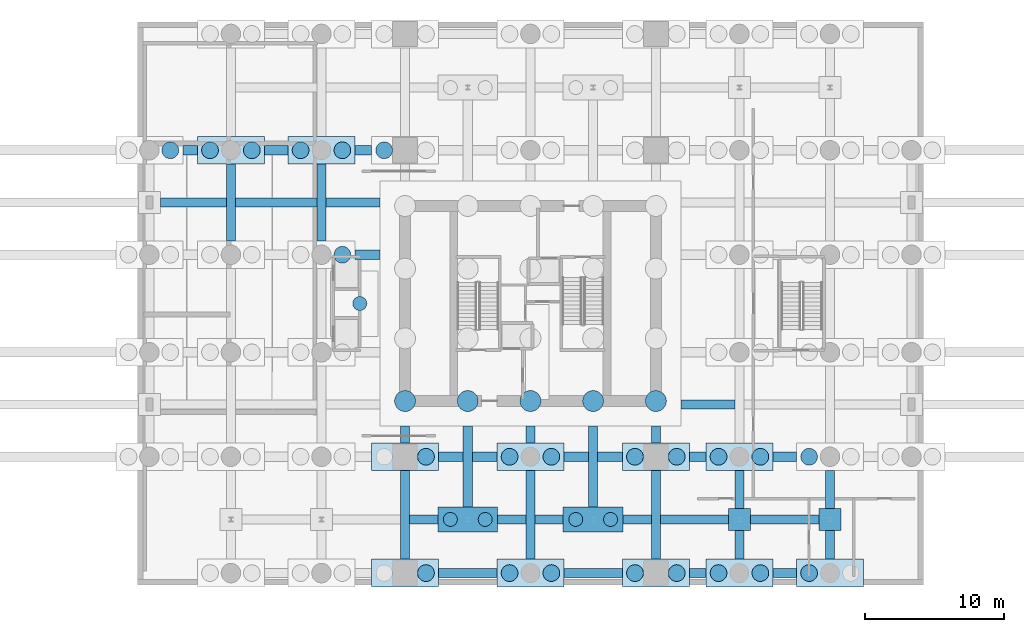
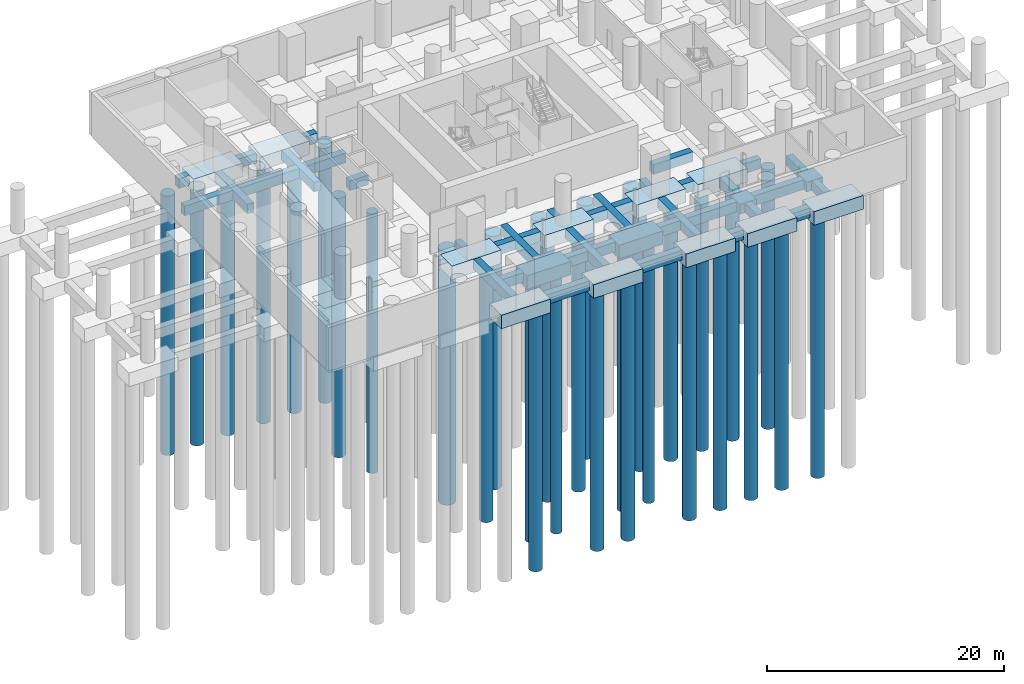
# One storey, part 2 of 12: 53 footings, 33 piles.
"""IFC4 building model written with IfcOpenShell, lengths in metres."""

from ifc_helpers import new_model, si_unit, direction, frame, origin, origin_2d, place, context, subcontext, project, spatial, polyline, circle, outline, extrude, material, layer, layer_set, material_profile, profile_set, type_object, element, save


model = new_model("IFC4")

# Units and contexts
model_context = context("Model", 3, precision=1e-05, world=origin(), true_north=direction((0.0, 1.0)))
body_context = subcontext(model_context, "Body", "Model", "MODEL_VIEW")
ifc_project = project(units=[si_unit("LENGTHUNIT", "METRE"), si_unit("AREAUNIT", "SQUARE_METRE"), si_unit("VOLUMEUNIT", "CUBIC_METRE"), si_unit("PLANEANGLEUNIT", "RADIAN"), si_unit("MASSUNIT", "GRAM", prefix="KILO")], contexts=[model_context])

# Site, building, storey
site_placement = place(None, origin())
site = spatial("IfcSite", under=ifc_project, at=site_placement, CompositionType="ELEMENT")
building_placement = place(site_placement, origin())
building = spatial("IfcBuilding", under=site, at=building_placement, Name="Veldorim Arch Residences", CompositionType="ELEMENT")
storey_placement = place(building_placement, frame((0.0, 0.0, -9.0)))
storey = spatial("IfcBuildingStorey", under=building, at=storey_placement, Name="B2", CompositionType="ELEMENT", Elevation=-9.0)

# Piles
ifc_material_1 = material(Name="Concrete C50/60", Category="concrete")
ifc_material_profile_1 = material_profile(ifc_material_1, circle(Radius=0.5, at=origin_2d()), Name="PILE_1000")
ifc_profile_set_1 = profile_set([ifc_material_profile_1], Name="Concrete C50/60")
pile_type_1 = type_object("IfcPileType", Name="Bored Rock-Socketed Pile 1000", PredefinedType="BORED", material=ifc_profile_set_1)
for number, where, z_axis, x_axis, name in (
    (1, (19.75, 24.0, -1.25), (0.0, 0.0, -1.0), (1.0, 0.0, 0.0), "Clinic lift core bored pile 01"),
    (2, (26.25, 8.5, -1.25), (0.0, 0.0, -1.0), (1.0, 0.0, 0.0), "Infill cap 01 bored pile W"),
    (3, (28.75, 8.5, -1.25), (0.0, 0.0, -1.0), (1.0, 0.0, 0.0), "Infill cap 01 bored pile E"),
    (4, (35.25, 8.5, -1.25), (0.0, 0.0, -1.0), (1.0, 0.0, 0.0), "Infill cap 02 bored pile W"),
    (5, (37.75, 8.5, -1.25), (0.0, 0.0, -1.0), (1.0, 0.0, 0.0), "Infill cap 02 bored pile E"),
):
    element("IfcPile", number, at=place(storey_placement, frame(where, z_axis=z_axis, x_axis=x_axis)), inside=storey, type_object=pile_type_1, Name=name, PredefinedType="BORED", context=body_context, shape_type="SweptSolid", body=[
        extrude(circle(Radius=0.5, at=origin_2d()), origin(), (0.0, 0.0, 1.0), 26.75),
    ])
ifc_material_2 = material(Name="Concrete C50/60", Category="concrete")
ifc_material_profile_2 = material_profile(ifc_material_2, circle(Radius=0.60009765625, at=origin_2d()), Name="PILE_1200")
ifc_profile_set_2 = profile_set([ifc_material_profile_2], Name="Concrete C50/60")
pile_type_2 = type_object("IfcPileType", Name="Bored Rock-Socketed Pile 1200", PredefinedType="BORED", material=ifc_profile_set_2)
for number, where, z_axis, x_axis, name in (
    (6, (6.14990234375, 35.0, -1.25), (0.0, 0.0, -1.0), (1.0, 0.0, 0.0), "Cap 04 bored pile E"),
    (7, (9.0, 35.0, -1.25), (0.0, 0.0, -1.0), (1.0, 0.0, 0.0), "Cap 09 bored pile W"),
    (8, (12.0, 35.0, -1.25), (0.0, 0.0, -1.0), (1.0, 0.0, 0.0), "Cap 09 bored pile E"),
    (9, (18.5, 27.5, -1.25), (0.0, 0.0, -1.0), (1.0, 0.0, 0.0), "Cap 14 bored pile E"),
    (10, (15.5, 35.0, -1.25), (0.0, 0.0, -1.0), (1.0, 0.0, 0.0), "Cap 15 bored pile W"),
    (11, (18.5, 35.0, -1.25), (0.0, 0.0, -1.0), (1.0, 0.0, 0.0), "Cap 15 bored pile E"),
    (12, (45.5, 4.64990234375, -1.25), (0.0, 0.0, -1.0), (1.0, 0.0, 0.0), "Cap 17 bored pile W"),
    (13, (48.5, 4.64990234375, -1.25), (0.0, 0.0, -1.0), (1.0, 0.0, 0.0), "Cap 17 bored pile E"),
    (14, (45.5, 13.0, -1.25), (0.0, 0.0, -1.0), (1.0, 0.0, 0.0), "Cap 18 bored pile W"),
    (15, (48.5, 13.0, -1.25), (0.0, 0.0, -1.0), (1.0, 0.0, 0.0), "Cap 18 bored pile E"),
    (16, (52.0, 4.64990234375, -1.25), (0.0, 0.0, -1.0), (1.0, 0.0, 0.0), "Cap 23 bored pile W"),
    (17, (52.0, 13.0, -1.25), (0.0, 0.0, -1.0), (1.0, 0.0, 0.0), "Cap 24 bored pile W"),
    (18, (24.5, 4.64990234375, -1.25), (0.0, 0.0, -1.0), (1.0, 0.0, 0.0), "Cap 33 bored pile E"),
    (19, (24.5, 13.0, -1.25), (0.0, 0.0, -1.0), (1.0, 0.0, 0.0), "Cap 34 bored pile E"),
    (20, (21.5, 35.0, -1.25), (0.0, 0.0, -1.0), (1.0, 0.0, 0.0), "Cap 35 bored pile W"),
    (21, (30.5, 4.64990234375, -1.25), (0.0, 0.0, -1.0), (1.0, 0.0, 0.0), "Cap 37 bored pile W"),
    (22, (33.5, 4.64990234375, -1.25), (0.0, 0.0, -1.0), (1.0, 0.0, 0.0), "Cap 37 bored pile E"),
    (23, (30.5, 13.0, -1.25), (0.0, 0.0, -1.0), (1.0, 0.0, 0.0), "Cap 38 bored pile W"),
    (24, (33.5, 13.0, -1.25), (0.0, 0.0, -1.0), (1.0, 0.0, 0.0), "Cap 38 bored pile E"),
    (25, (39.5, 4.64990234375, -1.25), (0.0, 0.0, -1.0), (1.0, 0.0, 0.0), "Cap 41 bored pile W"),
    (26, (42.5, 4.64990234375, -1.25), (0.0, 0.0, -1.0), (1.0, 0.0, 0.0), "Cap 41 bored pile E"),
    (27, (39.5, 13.0, -1.25), (0.0, 0.0, -1.0), (1.0, 0.0, 0.0), "Cap 42 bored pile W"),
    (28, (42.5, 13.0, -1.25), (0.0, 0.0, -1.0), (1.0, 0.0, 0.0), "Cap 42 bored pile E"),
):
    element("IfcPile", number, at=place(storey_placement, frame(where, z_axis=z_axis, x_axis=x_axis)), inside=storey, type_object=pile_type_2, Name=name, PredefinedType="BORED", context=body_context, shape_type="SweptSolid", body=[
        extrude(circle(Radius=0.60009765625, at=origin_2d()), origin(), (0.0, 0.0, 1.0), 26.75),
    ])
ifc_material_3 = material(Name="Concrete C50/60", Category="concrete")
ifc_material_profile_3 = material_profile(ifc_material_3, circle(Radius=0.75, at=origin_2d()), Name="PILE_1500")
ifc_profile_set_3 = profile_set([ifc_material_profile_3], Name="Concrete C50/60")
pile_type_3 = type_object("IfcPileType", Name="Bored Rock-Socketed Pile 1500", PredefinedType="BORED", material=ifc_profile_set_3)
for number, where, z_axis, x_axis, name in (
    (29, (23.0, 17.0, -1.85009765625), (0.0, 0.0, -1.0), (1.0, 0.0, 0.0), "Core raft bored pile 01"),
    (30, (27.5, 17.0, -1.85009765625), (0.0, 0.0, -1.0), (1.0, 0.0, 0.0), "Core raft bored pile 05"),
    (31, (32.0, 17.0, -1.85009765625), (0.0, 0.0, -1.0), (1.0, 0.0, 0.0), "Core raft bored pile 09"),
    (32, (36.5, 17.0, -1.85009765625), (0.0, 0.0, -1.0), (1.0, 0.0, 0.0), "Core raft bored pile 13"),
    (33, (41.0, 17.0, -1.85009765625), (0.0, 0.0, -1.0), (1.0, 0.0, 0.0), "Core raft bored pile 17"),
):
    element("IfcPile", number, at=place(storey_placement, frame(where, z_axis=z_axis, x_axis=x_axis)), inside=storey, type_object=pile_type_3, Name=name, PredefinedType="BORED", context=body_context, shape_type="SweptSolid", body=[
        extrude(circle(Radius=0.75, at=origin_2d()), origin(), (0.0, 0.0, 1.0), 26.14990234375),
    ])

# Footings
ifc_material_4 = material(Name="Concrete C50/60", Category="concrete")
ifc_layer_1 = layer(ifc_material_4, 1.0, Name="Continuous Ground Tie Beam 650x1000")
ifc_layer_set_1 = layer_set([ifc_layer_1], Name="Concrete C50/60")
footing_type_1 = type_object("IfcFootingType", Name="Continuous Ground Tie Beam 650x1000", PredefinedType="FOOTING_BEAM", material=ifc_layer_set_1)
footing_1_placement = place(storey_placement, frame((0.0, 0.0, -1.0)))
element("IfcFooting", 34, at=footing_1_placement, inside=storey, type_object=footing_type_1, Name="North-south ground tie beam 013", PredefinedType="FOOTING_BEAM", context=body_context, shape_type="SweptSolid", body=[
    extrude(outline(polyline([(10.175048828125, 28.5), (10.824951171875, 28.5), (10.824951171875, 34.0), (10.175048828125, 34.0), (10.175048828125, 28.5)])), origin(), (0.0, 0.0, 1.0), 1.0),
])
footing_2_placement = place(storey_placement, frame((0.0, 0.0, -1.0)))
element("IfcFooting", 35, at=footing_2_placement, inside=storey, type_object=footing_type_1, Name="North-south ground tie beam 019", PredefinedType="FOOTING_BEAM", context=body_context, shape_type="SweptSolid", body=[
    extrude(outline(polyline([(16.675048828125, 28.5), (17.324951171875, 28.5), (17.324951171875, 34.0), (16.675048828125, 34.0), (16.675048828125, 28.5)])), origin(), (0.0, 0.0, 1.0), 1.0),
])
footing_3_placement = place(storey_placement, frame((0.0, 0.0, -1.0)))
element("IfcFooting", 36, at=footing_3_placement, inside=storey, type_object=footing_type_1, Name="North-south ground tie beam 021", PredefinedType="FOOTING_BEAM", context=body_context, shape_type="SweptSolid", body=[
    extrude(outline(polyline([(22.675048828125, 5.64990234375), (23.324951171875, 5.64990234375), (23.324951171875, 12.0), (22.675048828125, 12.0), (22.675048828125, 5.64990234375)])), origin(), (0.0, 0.0, 1.0), 1.0),
])
footing_4_placement = place(storey_placement, frame((0.0, 0.0, -1.0)))
element("IfcFooting", 37, at=footing_4_placement, inside=storey, type_object=footing_type_1, Name="North-south ground tie beam 022", PredefinedType="FOOTING_BEAM", context=body_context, shape_type="SweptSolid", body=[
    extrude(outline(polyline([(22.675048828125, 14.0), (23.324951171875, 14.0), (23.324951171875, 15.199951171875), (22.675048828125, 15.199951171875), (22.675048828125, 14.0)])), origin(), (0.0, 0.0, 1.0), 1.0),
])
footing_5_placement = place(storey_placement, frame((0.0, 0.0, -1.0)))
element("IfcFooting", 38, at=footing_5_placement, inside=storey, type_object=footing_type_1, Name="North-south ground tie beam 025", PredefinedType="FOOTING_BEAM", context=body_context, shape_type="SweptSolid", body=[
    extrude(outline(polyline([(27.175048828125, 9.39990234375), (27.824951171875, 9.39990234375), (27.824951171875, 15.199951171875), (27.175048828125, 15.199951171875), (27.175048828125, 9.39990234375)])), origin(), (0.0, 0.0, 1.0), 1.0),
])
footing_6_placement = place(storey_placement, frame((0.0, 0.0, -1.0)))
element("IfcFooting", 39, at=footing_6_placement, inside=storey, type_object=footing_type_1, Name="North-south ground tie beam 027", PredefinedType="FOOTING_BEAM", context=body_context, shape_type="SweptSolid", body=[
    extrude(outline(polyline([(31.675048828125, 5.64990234375), (32.324951171875, 5.64990234375), (32.324951171875, 12.0), (31.675048828125, 12.0), (31.675048828125, 5.64990234375)])), origin(), (0.0, 0.0, 1.0), 1.0),
])
footing_7_placement = place(storey_placement, frame((0.0, 0.0, -1.0)))
element("IfcFooting", 40, at=footing_7_placement, inside=storey, type_object=footing_type_1, Name="North-south ground tie beam 028", PredefinedType="FOOTING_BEAM", context=body_context, shape_type="SweptSolid", body=[
    extrude(outline(polyline([(31.675048828125, 14.0), (32.324951171875, 14.0), (32.324951171875, 15.199951171875), (31.675048828125, 15.199951171875), (31.675048828125, 14.0)])), origin(), (0.0, 0.0, 1.0), 1.0),
])
footing_8_placement = place(storey_placement, frame((0.0, 0.0, -1.0)))
element("IfcFooting", 41, at=footing_8_placement, inside=storey, type_object=footing_type_1, Name="North-south ground tie beam 031", PredefinedType="FOOTING_BEAM", context=body_context, shape_type="SweptSolid", body=[
    extrude(outline(polyline([(36.175048828125, 9.39990234375), (36.824951171875, 9.39990234375), (36.824951171875, 15.199951171875), (36.175048828125, 15.199951171875), (36.175048828125, 9.39990234375)])), origin(), (0.0, 0.0, 1.0), 1.0),
])
footing_9_placement = place(storey_placement, frame((0.0, 0.0, -1.0)))
element("IfcFooting", 42, at=footing_9_placement, inside=storey, type_object=footing_type_1, Name="North-south ground tie beam 033", PredefinedType="FOOTING_BEAM", context=body_context, shape_type="SweptSolid", body=[
    extrude(outline(polyline([(40.675048828125, 5.64990234375), (41.324951171875, 5.64990234375), (41.324951171875, 12.0), (40.675048828125, 12.0), (40.675048828125, 5.64990234375)])), origin(), (0.0, 0.0, 1.0), 1.0),
])
footing_10_placement = place(storey_placement, frame((0.0, 0.0, -1.0)))
element("IfcFooting", 43, at=footing_10_placement, inside=storey, type_object=footing_type_1, Name="North-south ground tie beam 034", PredefinedType="FOOTING_BEAM", context=body_context, shape_type="SweptSolid", body=[
    extrude(outline(polyline([(40.675048828125, 14.0), (41.324951171875, 14.0), (41.324951171875, 15.199951171875), (40.675048828125, 15.199951171875), (40.675048828125, 14.0)])), origin(), (0.0, 0.0, 1.0), 1.0),
])
footing_11_placement = place(storey_placement, frame((0.0, 0.0, -1.0)))
element("IfcFooting", 44, at=footing_11_placement, inside=storey, type_object=footing_type_1, Name="North-south ground tie beam 037", PredefinedType="FOOTING_BEAM", context=body_context, shape_type="SweptSolid", body=[
    extrude(outline(polyline([(46.675048828125, 5.64990234375), (47.324951171875, 5.64990234375), (47.324951171875, 7.699951171875), (46.675048828125, 7.699951171875), (46.675048828125, 5.64990234375)])), origin(), (0.0, 0.0, 1.0), 1.0),
])
footing_12_placement = place(storey_placement, frame((0.0, 0.0, -1.0)))
element("IfcFooting", 45, at=footing_12_placement, inside=storey, type_object=footing_type_1, Name="North-south ground tie beam 038", PredefinedType="FOOTING_BEAM", context=body_context, shape_type="SweptSolid", body=[
    extrude(outline(polyline([(46.675048828125, 9.300048828125), (47.324951171875, 9.300048828125), (47.324951171875, 12.0), (46.675048828125, 12.0), (46.675048828125, 9.300048828125)])), origin(), (0.0, 0.0, 1.0), 1.0),
])
footing_13_placement = place(storey_placement, frame((0.0, 0.0, -1.0)))
element("IfcFooting", 46, at=footing_13_placement, inside=storey, type_object=footing_type_1, Name="North-south ground tie beam 044", PredefinedType="FOOTING_BEAM", context=body_context, shape_type="SweptSolid", body=[
    extrude(outline(polyline([(53.175048828125, 5.64990234375), (53.824951171875, 5.64990234375), (53.824951171875, 7.699951171875), (53.175048828125, 7.699951171875), (53.175048828125, 5.64990234375)])), origin(), (0.0, 0.0, 1.0), 1.0),
])
footing_14_placement = place(storey_placement, frame((0.0, 0.0, -1.0)))
element("IfcFooting", 47, at=footing_14_placement, inside=storey, type_object=footing_type_1, Name="North-south ground tie beam 045", PredefinedType="FOOTING_BEAM", context=body_context, shape_type="SweptSolid", body=[
    extrude(outline(polyline([(53.175048828125, 9.300048828125), (53.824951171875, 9.300048828125), (53.824951171875, 12.0), (53.175048828125, 12.0), (53.175048828125, 9.300048828125)])), origin(), (0.0, 0.0, 1.0), 1.0),
])
footing_15_placement = place(storey_placement, frame((0.0, 0.0, -1.0)))
element("IfcFooting", 48, at=footing_15_placement, inside=storey, type_object=footing_type_1, Name="East-west ground tie beam 061", PredefinedType="FOOTING_BEAM", context=body_context, shape_type="SweptSolid", body=[
    extrude(outline(polyline([(25.39990234375, 4.324951171875), (29.60009765625, 4.324951171875), (29.60009765625, 4.97509765625), (25.39990234375, 4.97509765625), (25.39990234375, 4.324951171875)])), origin(), (0.0, 0.0, 1.0), 1.0),
])
footing_16_placement = place(storey_placement, frame((0.0, 0.0, -1.0)))
element("IfcFooting", 49, at=footing_16_placement, inside=storey, type_object=footing_type_1, Name="East-west ground tie beam 062", PredefinedType="FOOTING_BEAM", context=body_context, shape_type="SweptSolid", body=[
    extrude(outline(polyline([(34.39990234375, 4.324951171875), (38.60009765625, 4.324951171875), (38.60009765625, 4.97509765625), (34.39990234375, 4.97509765625), (34.39990234375, 4.324951171875)])), origin(), (0.0, 0.0, 1.0), 1.0),
])
footing_17_placement = place(storey_placement, frame((0.0, 0.0, -1.0)))
element("IfcFooting", 50, at=footing_17_placement, inside=storey, type_object=footing_type_1, Name="East-west ground tie beam 063", PredefinedType="FOOTING_BEAM", context=body_context, shape_type="SweptSolid", body=[
    extrude(outline(polyline([(43.39990234375, 4.324951171875), (44.60009765625, 4.324951171875), (44.60009765625, 4.97509765625), (43.39990234375, 4.97509765625), (43.39990234375, 4.324951171875)])), origin(), (0.0, 0.0, 1.0), 1.0),
])
footing_18_placement = place(storey_placement, frame((0.0, 0.0, -1.0)))
element("IfcFooting", 51, at=footing_18_placement, inside=storey, type_object=footing_type_1, Name="East-west ground tie beam 064", PredefinedType="FOOTING_BEAM", context=body_context, shape_type="SweptSolid", body=[
    extrude(outline(polyline([(49.39990234375, 4.324951171875), (51.10009765625, 4.324951171875), (51.10009765625, 4.97509765625), (49.39990234375, 4.97509765625), (49.39990234375, 4.324951171875)])), origin(), (0.0, 0.0, 1.0), 1.0),
])
footing_19_placement = place(storey_placement, frame((0.0, 0.0, -1.0)))
element("IfcFooting", 52, at=footing_19_placement, inside=storey, type_object=footing_type_1, Name="East-west ground tie beam 067", PredefinedType="FOOTING_BEAM", context=body_context, shape_type="SweptSolid", body=[
    extrude(outline(polyline([(23.324951171875, 8.175048828125), (25.35009765625, 8.175048828125), (25.35009765625, 8.824951171875), (23.324951171875, 8.824951171875), (23.324951171875, 8.175048828125)])), origin(), (0.0, 0.0, 1.0), 1.0),
])
footing_20_placement = place(storey_placement, frame((0.0, 0.0, -1.0)))
element("IfcFooting", 53, at=footing_20_placement, inside=storey, type_object=footing_type_1, Name="East-west ground tie beam 068", PredefinedType="FOOTING_BEAM", context=body_context, shape_type="SweptSolid", body=[
    extrude(outline(polyline([(29.64990234375, 8.175048828125), (31.675048828125, 8.175048828125), (31.675048828125, 8.824951171875), (29.64990234375, 8.824951171875), (29.64990234375, 8.175048828125)])), origin(), (0.0, 0.0, 1.0), 1.0),
])
footing_21_placement = place(storey_placement, frame((0.0, 0.0, -1.0)))
element("IfcFooting", 54, at=footing_21_placement, inside=storey, type_object=footing_type_1, Name="East-west ground tie beam 069", PredefinedType="FOOTING_BEAM", context=body_context, shape_type="SweptSolid", body=[
    extrude(outline(polyline([(32.324951171875, 8.175048828125), (34.35009765625, 8.175048828125), (34.35009765625, 8.824951171875), (32.324951171875, 8.824951171875), (32.324951171875, 8.175048828125)])), origin(), (0.0, 0.0, 1.0), 1.0),
])
footing_22_placement = place(storey_placement, frame((0.0, 0.0, -1.0)))
element("IfcFooting", 55, at=footing_22_placement, inside=storey, type_object=footing_type_1, Name="East-west ground tie beam 070", PredefinedType="FOOTING_BEAM", context=body_context, shape_type="SweptSolid", body=[
    extrude(outline(polyline([(38.64990234375, 8.175048828125), (40.675048828125, 8.175048828125), (40.675048828125, 8.824951171875), (38.64990234375, 8.824951171875), (38.64990234375, 8.175048828125)])), origin(), (0.0, 0.0, 1.0), 1.0),
])
footing_23_placement = place(storey_placement, frame((0.0, 0.0, -1.0)))
element("IfcFooting", 56, at=footing_23_placement, inside=storey, type_object=footing_type_1, Name="East-west ground tie beam 071", PredefinedType="FOOTING_BEAM", context=body_context, shape_type="SweptSolid", body=[
    extrude(outline(polyline([(41.324951171875, 8.175048828125), (46.199951171875, 8.175048828125), (46.199951171875, 8.824951171875), (41.324951171875, 8.824951171875), (41.324951171875, 8.175048828125)])), origin(), (0.0, 0.0, 1.0), 1.0),
])
footing_24_placement = place(storey_placement, frame((0.0, 0.0, -1.0)))
element("IfcFooting", 57, at=footing_24_placement, inside=storey, type_object=footing_type_1, Name="East-west ground tie beam 072", PredefinedType="FOOTING_BEAM", context=body_context, shape_type="SweptSolid", body=[
    extrude(outline(polyline([(47.800048828125, 8.175048828125), (52.699951171875, 8.175048828125), (52.699951171875, 8.824951171875), (47.800048828125, 8.824951171875), (47.800048828125, 8.175048828125)])), origin(), (0.0, 0.0, 1.0), 1.0),
])
footing_25_placement = place(storey_placement, frame((0.0, 0.0, -1.0)))
element("IfcFooting", 58, at=footing_25_placement, inside=storey, type_object=footing_type_1, Name="East-west ground tie beam 077", PredefinedType="FOOTING_BEAM", context=body_context, shape_type="SweptSolid", body=[
    extrude(outline(polyline([(25.39990234375, 12.675048828125), (27.175048828125, 12.675048828125), (27.175048828125, 13.324951171875), (25.39990234375, 13.324951171875), (25.39990234375, 12.675048828125)])), origin(), (0.0, 0.0, 1.0), 1.0),
])
footing_26_placement = place(storey_placement, frame((0.0, 0.0, -1.0)))
element("IfcFooting", 59, at=footing_26_placement, inside=storey, type_object=footing_type_1, Name="East-west ground tie beam 078", PredefinedType="FOOTING_BEAM", context=body_context, shape_type="SweptSolid", body=[
    extrude(outline(polyline([(27.824951171875, 12.675048828125), (29.60009765625, 12.675048828125), (29.60009765625, 13.324951171875), (27.824951171875, 13.324951171875), (27.824951171875, 12.675048828125)])), origin(), (0.0, 0.0, 1.0), 1.0),
])
footing_27_placement = place(storey_placement, frame((0.0, 0.0, -1.0)))
element("IfcFooting", 60, at=footing_27_placement, inside=storey, type_object=footing_type_1, Name="East-west ground tie beam 079", PredefinedType="FOOTING_BEAM", context=body_context, shape_type="SweptSolid", body=[
    extrude(outline(polyline([(34.39990234375, 12.675048828125), (36.175048828125, 12.675048828125), (36.175048828125, 13.324951171875), (34.39990234375, 13.324951171875), (34.39990234375, 12.675048828125)])), origin(), (0.0, 0.0, 1.0), 1.0),
])
footing_28_placement = place(storey_placement, frame((0.0, 0.0, -1.0)))
element("IfcFooting", 61, at=footing_28_placement, inside=storey, type_object=footing_type_1, Name="East-west ground tie beam 080", PredefinedType="FOOTING_BEAM", context=body_context, shape_type="SweptSolid", body=[
    extrude(outline(polyline([(36.824951171875, 12.675048828125), (38.60009765625, 12.675048828125), (38.60009765625, 13.324951171875), (36.824951171875, 13.324951171875), (36.824951171875, 12.675048828125)])), origin(), (0.0, 0.0, 1.0), 1.0),
])
footing_29_placement = place(storey_placement, frame((0.0, 0.0, -1.0)))
element("IfcFooting", 62, at=footing_29_placement, inside=storey, type_object=footing_type_1, Name="East-west ground tie beam 081", PredefinedType="FOOTING_BEAM", context=body_context, shape_type="SweptSolid", body=[
    extrude(outline(polyline([(43.39990234375, 12.675048828125), (44.60009765625, 12.675048828125), (44.60009765625, 13.324951171875), (43.39990234375, 13.324951171875), (43.39990234375, 12.675048828125)])), origin(), (0.0, 0.0, 1.0), 1.0),
])
footing_30_placement = place(storey_placement, frame((0.0, 0.0, -1.0)))
element("IfcFooting", 63, at=footing_30_placement, inside=storey, type_object=footing_type_1, Name="East-west ground tie beam 082", PredefinedType="FOOTING_BEAM", context=body_context, shape_type="SweptSolid", body=[
    extrude(outline(polyline([(49.39990234375, 12.675048828125), (51.10009765625, 12.675048828125), (51.10009765625, 13.324951171875), (49.39990234375, 13.324951171875), (49.39990234375, 12.675048828125)])), origin(), (0.0, 0.0, 1.0), 1.0),
])
footing_31_placement = place(storey_placement, frame((0.0, 0.0, -1.0)))
element("IfcFooting", 64, at=footing_31_placement, inside=storey, type_object=footing_type_1, Name="East-west ground tie beam 089", PredefinedType="FOOTING_BEAM", context=body_context, shape_type="SweptSolid", body=[
    extrude(outline(polyline([(42.800048828125, 16.425048828125), (46.675048828125, 16.425048828125), (46.675048828125, 17.074951171875), (42.800048828125, 17.074951171875), (42.800048828125, 16.425048828125)])), origin(), (0.0, 0.0, 1.0), 1.0),
])
footing_32_placement = place(storey_placement, frame((0.0, 0.0, -1.0)))
element("IfcFooting", 65, at=footing_32_placement, inside=storey, type_object=footing_type_1, Name="East-west ground tie beam 104", PredefinedType="FOOTING_BEAM", context=body_context, shape_type="SweptSolid", body=[
    extrude(outline(polyline([(19.39990234375, 27.175048828125), (21.199951171875, 27.175048828125), (21.199951171875, 27.824951171875), (19.39990234375, 27.824951171875), (19.39990234375, 27.175048828125)])), origin(), (0.0, 0.0, 1.0), 1.0),
])
footing_33_placement = place(storey_placement, frame((0.0, 0.0, -1.0)))
element("IfcFooting", 66, at=footing_33_placement, inside=storey, type_object=footing_type_1, Name="East-west ground tie beam 110", PredefinedType="FOOTING_BEAM", context=body_context, shape_type="SweptSolid", body=[
    extrude(outline(polyline([(5.449951171875, 30.925048828125), (10.175048828125, 30.925048828125), (10.175048828125, 31.574951171875), (5.449951171875, 31.574951171875), (5.449951171875, 30.925048828125)])), origin(), (0.0, 0.0, 1.0), 1.0),
])
footing_34_placement = place(storey_placement, frame((0.0, 0.0, -1.0)))
element("IfcFooting", 67, at=footing_34_placement, inside=storey, type_object=footing_type_1, Name="East-west ground tie beam 111", PredefinedType="FOOTING_BEAM", context=body_context, shape_type="SweptSolid", body=[
    extrude(outline(polyline([(10.824951171875, 30.925048828125), (16.675048828125, 30.925048828125), (16.675048828125, 31.574951171875), (10.824951171875, 31.574951171875), (10.824951171875, 30.925048828125)])), origin(), (0.0, 0.0, 1.0), 1.0),
])
footing_35_placement = place(storey_placement, frame((0.0, 0.0, -1.0)))
element("IfcFooting", 68, at=footing_35_placement, inside=storey, type_object=footing_type_1, Name="East-west ground tie beam 112", PredefinedType="FOOTING_BEAM", context=body_context, shape_type="SweptSolid", body=[
    extrude(outline(polyline([(17.324951171875, 30.925048828125), (21.199951171875, 30.925048828125), (21.199951171875, 31.574951171875), (17.324951171875, 31.574951171875), (17.324951171875, 30.925048828125)])), origin(), (0.0, 0.0, 1.0), 1.0),
])
footing_36_placement = place(storey_placement, frame((0.0, 0.0, -1.0)))
element("IfcFooting", 69, at=footing_36_placement, inside=storey, type_object=footing_type_1, Name="East-west ground tie beam 118", PredefinedType="FOOTING_BEAM", context=body_context, shape_type="SweptSolid", body=[
    extrude(outline(polyline([(7.050048828125, 34.675048828125), (8.10009765625, 34.675048828125), (8.10009765625, 35.324951171875), (7.050048828125, 35.324951171875), (7.050048828125, 34.675048828125)])), origin(), (0.0, 0.0, 1.0), 1.0),
])
footing_37_placement = place(storey_placement, frame((0.0, 0.0, -1.0)))
element("IfcFooting", 70, at=footing_37_placement, inside=storey, type_object=footing_type_1, Name="East-west ground tie beam 119", PredefinedType="FOOTING_BEAM", context=body_context, shape_type="SweptSolid", body=[
    extrude(outline(polyline([(12.89990234375, 34.675048828125), (14.60009765625, 34.675048828125), (14.60009765625, 35.324951171875), (12.89990234375, 35.324951171875), (12.89990234375, 34.675048828125)])), origin(), (0.0, 0.0, 1.0), 1.0),
])
footing_38_placement = place(storey_placement, frame((0.0, 0.0, -1.0)))
element("IfcFooting", 71, at=footing_38_placement, inside=storey, type_object=footing_type_1, Name="East-west ground tie beam 120", PredefinedType="FOOTING_BEAM", context=body_context, shape_type="SweptSolid", body=[
    extrude(outline(polyline([(19.39990234375, 34.675048828125), (20.60009765625, 34.675048828125), (20.60009765625, 35.324951171875), (19.39990234375, 35.324951171875), (19.39990234375, 34.675048828125)])), origin(), (0.0, 0.0, 1.0), 1.0),
])
ifc_material_5 = material(Name="Concrete C50/60", Category="concrete")
ifc_layer_2 = layer(ifc_material_5, 1.39990234375, Name="Infill Two-Pile Cap 4300x1800x1400")
ifc_layer_set_2 = layer_set([ifc_layer_2], Name="Concrete C50/60")
footing_type_2 = type_object("IfcFootingType", Name="Infill Two-Pile Cap 4300x1800x1400", PredefinedType="PILE_CAP", material=ifc_layer_set_2)
footing_39_placement = place(storey_placement, frame((0.0, 0.0, -1.39990234375)))
element("IfcFooting", 72, at=footing_39_placement, inside=storey, type_object=footing_type_2, Name="Infill two-pile cap 01", PredefinedType="PILE_CAP", context=body_context, shape_type="SweptSolid", body=[
    extrude(outline(polyline([(25.35009765625, 7.60009765625), (29.64990234375, 7.60009765625), (29.64990234375, 9.39990234375), (25.35009765625, 9.39990234375), (25.35009765625, 7.60009765625)])), origin(), (0.0, 0.0, 1.0), 1.39990234375),
])
footing_40_placement = place(storey_placement, frame((0.0, 0.0, -1.39990234375)))
element("IfcFooting", 73, at=footing_40_placement, inside=storey, type_object=footing_type_2, Name="Infill two-pile cap 02", PredefinedType="PILE_CAP", context=body_context, shape_type="SweptSolid", body=[
    extrude(outline(polyline([(34.35009765625, 7.60009765625), (38.64990234375, 7.60009765625), (38.64990234375, 9.39990234375), (34.35009765625, 9.39990234375), (34.35009765625, 7.60009765625)])), origin(), (0.0, 0.0, 1.0), 1.39990234375),
])
ifc_material_6 = material(Name="Concrete C50/60", Category="concrete")
ifc_layer_3 = layer(ifc_material_6, 1.39990234375, Name="Perimeter Two-Pile Cap 4800x2000x1400")
ifc_layer_set_3 = layer_set([ifc_layer_3], Name="Concrete C50/60")
footing_type_3 = type_object("IfcFootingType", Name="Perimeter Two-Pile Cap 4800x2000x1400", PredefinedType="PILE_CAP", material=ifc_layer_set_3)
footing_41_placement = place(storey_placement, frame((0.0, 0.0, -1.39990234375)))
element("IfcFooting", 74, at=footing_41_placement, inside=storey, type_object=footing_type_3, Name="Perimeter two-pile cap 09", PredefinedType="PILE_CAP", context=body_context, shape_type="SweptSolid", body=[
    extrude(outline(polyline([(8.10009765625, 34.0), (12.89990234375, 34.0), (12.89990234375, 36.0), (8.10009765625, 36.0), (8.10009765625, 34.0)])), origin(), (0.0, 0.0, 1.0), 1.39990234375),
])
footing_42_placement = place(storey_placement, frame((0.0, 0.0, -1.39990234375)))
element("IfcFooting", 75, at=footing_42_placement, inside=storey, type_object=footing_type_3, Name="Perimeter two-pile cap 15", PredefinedType="PILE_CAP", context=body_context, shape_type="SweptSolid", body=[
    extrude(outline(polyline([(14.60009765625, 34.0), (19.39990234375, 34.0), (19.39990234375, 36.0), (14.60009765625, 36.0), (14.60009765625, 34.0)])), origin(), (0.0, 0.0, 1.0), 1.39990234375),
])
footing_43_placement = place(storey_placement, frame((0.0, 0.0, -1.39990234375)))
element("IfcFooting", 76, at=footing_43_placement, inside=storey, type_object=footing_type_3, Name="Perimeter two-pile cap 17", PredefinedType="PILE_CAP", context=body_context, shape_type="SweptSolid", body=[
    extrude(outline(polyline([(44.60009765625, 3.64990234375), (49.39990234375, 3.64990234375), (49.39990234375, 5.64990234375), (44.60009765625, 5.64990234375), (44.60009765625, 3.64990234375)])), origin(), (0.0, 0.0, 1.0), 1.39990234375),
])
footing_44_placement = place(storey_placement, frame((0.0, 0.0, -1.39990234375)))
element("IfcFooting", 77, at=footing_44_placement, inside=storey, type_object=footing_type_3, Name="Perimeter two-pile cap 18", PredefinedType="PILE_CAP", context=body_context, shape_type="SweptSolid", body=[
    extrude(outline(polyline([(44.60009765625, 12.0), (49.39990234375, 12.0), (49.39990234375, 14.0), (44.60009765625, 14.0), (44.60009765625, 12.0)])), origin(), (0.0, 0.0, 1.0), 1.39990234375),
])
footing_45_placement = place(storey_placement, frame((0.0, 0.0, -1.39990234375)))
element("IfcFooting", 78, at=footing_45_placement, inside=storey, type_object=footing_type_3, Name="Perimeter two-pile cap 23", PredefinedType="PILE_CAP", context=body_context, shape_type="SweptSolid", body=[
    extrude(outline(polyline([(51.10009765625, 3.64990234375), (55.89990234375, 3.64990234375), (55.89990234375, 5.64990234375), (51.10009765625, 5.64990234375), (51.10009765625, 3.64990234375)])), origin(), (0.0, 0.0, 1.0), 1.39990234375),
])
footing_46_placement = place(storey_placement, frame((0.0, 0.0, -1.39990234375)))
element("IfcFooting", 79, at=footing_46_placement, inside=storey, type_object=footing_type_3, Name="Perimeter two-pile cap 33", PredefinedType="PILE_CAP", context=body_context, shape_type="SweptSolid", body=[
    extrude(outline(polyline([(20.60009765625, 3.64990234375), (25.39990234375, 3.64990234375), (25.39990234375, 5.64990234375), (20.60009765625, 5.64990234375), (20.60009765625, 3.64990234375)])), origin(), (0.0, 0.0, 1.0), 1.39990234375),
])
footing_47_placement = place(storey_placement, frame((0.0, 0.0, -1.39990234375)))
element("IfcFooting", 80, at=footing_47_placement, inside=storey, type_object=footing_type_3, Name="Perimeter two-pile cap 34", PredefinedType="PILE_CAP", context=body_context, shape_type="SweptSolid", body=[
    extrude(outline(polyline([(20.60009765625, 12.0), (25.39990234375, 12.0), (25.39990234375, 14.0), (20.60009765625, 14.0), (20.60009765625, 12.0)])), origin(), (0.0, 0.0, 1.0), 1.39990234375),
])
footing_48_placement = place(storey_placement, frame((0.0, 0.0, -1.39990234375)))
element("IfcFooting", 81, at=footing_48_placement, inside=storey, type_object=footing_type_3, Name="Perimeter two-pile cap 37", PredefinedType="PILE_CAP", context=body_context, shape_type="SweptSolid", body=[
    extrude(outline(polyline([(29.60009765625, 3.64990234375), (34.39990234375, 3.64990234375), (34.39990234375, 5.64990234375), (29.60009765625, 5.64990234375), (29.60009765625, 3.64990234375)])), origin(), (0.0, 0.0, 1.0), 1.39990234375),
])
footing_49_placement = place(storey_placement, frame((0.0, 0.0, -1.39990234375)))
element("IfcFooting", 82, at=footing_49_placement, inside=storey, type_object=footing_type_3, Name="Perimeter two-pile cap 38", PredefinedType="PILE_CAP", context=body_context, shape_type="SweptSolid", body=[
    extrude(outline(polyline([(29.60009765625, 12.0), (34.39990234375, 12.0), (34.39990234375, 14.0), (29.60009765625, 14.0), (29.60009765625, 12.0)])), origin(), (0.0, 0.0, 1.0), 1.39990234375),
])
footing_50_placement = place(storey_placement, frame((0.0, 0.0, -1.39990234375)))
element("IfcFooting", 83, at=footing_50_placement, inside=storey, type_object=footing_type_3, Name="Perimeter two-pile cap 41", PredefinedType="PILE_CAP", context=body_context, shape_type="SweptSolid", body=[
    extrude(outline(polyline([(38.60009765625, 3.64990234375), (43.39990234375, 3.64990234375), (43.39990234375, 5.64990234375), (38.60009765625, 5.64990234375), (38.60009765625, 3.64990234375)])), origin(), (0.0, 0.0, 1.0), 1.39990234375),
])
footing_51_placement = place(storey_placement, frame((0.0, 0.0, -1.39990234375)))
element("IfcFooting", 84, at=footing_51_placement, inside=storey, type_object=footing_type_3, Name="Perimeter two-pile cap 42", PredefinedType="PILE_CAP", context=body_context, shape_type="SweptSolid", body=[
    extrude(outline(polyline([(38.60009765625, 12.0), (43.39990234375, 12.0), (43.39990234375, 14.0), (38.60009765625, 14.0), (38.60009765625, 12.0)])), origin(), (0.0, 0.0, 1.0), 1.39990234375),
])
ifc_material_7 = material(Name="Concrete C50/60", Category="concrete")
ifc_layer_4 = layer(ifc_material_7, 1.0, Name="Secondary Column Pad Footing 1600x1600x1000")
ifc_layer_set_4 = layer_set([ifc_layer_4], Name="Concrete C50/60")
footing_type_4 = type_object("IfcFootingType", Name="Secondary Column Pad Footing 1600x1600x1000", PredefinedType="PAD_FOOTING", material=ifc_layer_set_4)
footing_52_placement = place(storey_placement, frame((0.0, 0.0, -1.0)))
element("IfcFooting", 85, at=footing_52_placement, inside=storey, type_object=footing_type_4, Name="Basement pad footing 03", PredefinedType="PAD_FOOTING", context=body_context, shape_type="SweptSolid", body=[
    extrude(outline(polyline([(46.199951171875, 7.699951171875), (47.800048828125, 7.699951171875), (47.800048828125, 9.300048828125), (46.199951171875, 9.300048828125), (46.199951171875, 7.699951171875)])), origin(), (0.0, 0.0, 1.0), 1.0),
])
footing_53_placement = place(storey_placement, frame((0.0, 0.0, -1.0)))
element("IfcFooting", 86, at=footing_53_placement, inside=storey, type_object=footing_type_4, Name="Basement pad footing 04", PredefinedType="PAD_FOOTING", context=body_context, shape_type="SweptSolid", body=[
    extrude(outline(polyline([(52.699951171875, 7.699951171875), (54.300048828125, 7.699951171875), (54.300048828125, 9.300048828125), (52.699951171875, 9.300048828125), (52.699951171875, 7.699951171875)])), origin(), (0.0, 0.0, 1.0), 1.0),
])

save(model, "model.ifc")
